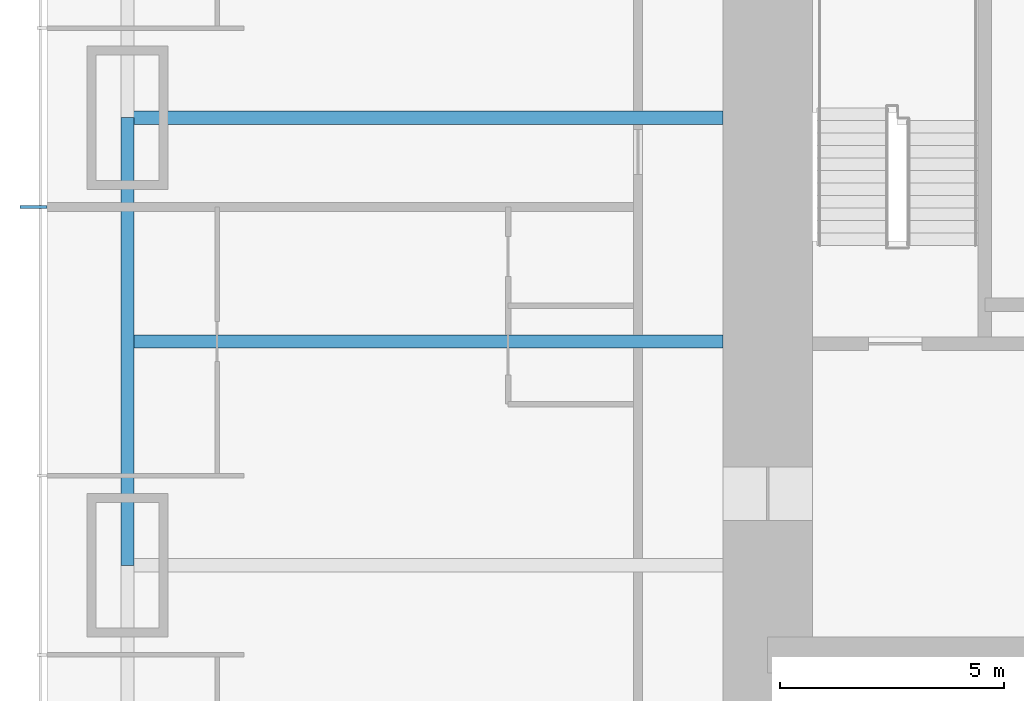
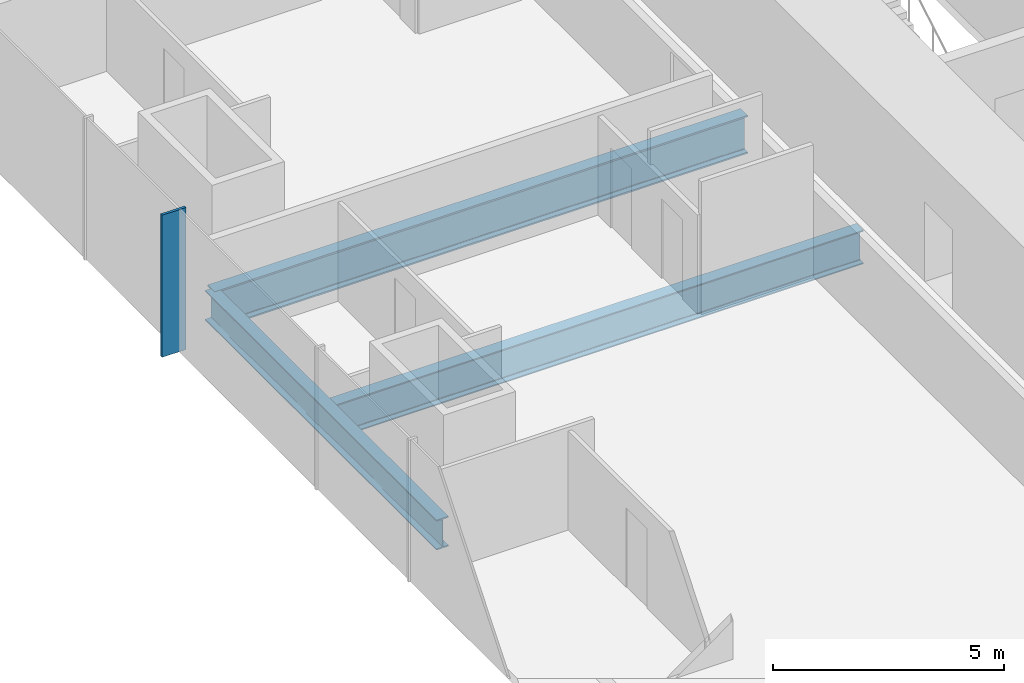
# One storey, part 3 of 17: 3 beams, 1 member, 1 element without a shape of its own.
"""IFC4 building model written with IfcOpenShell, lengths in metres."""

from ifc_helpers import new_model, si_unit, direction, frame, origin, origin_2d, place, context, subcontext, project, spatial, rectangle, i_section, extrude, material, material_profile, profile_set, type_object, element, aggregate, save


model = new_model("IFC4")

# Units and contexts
model_context = context("Model", 3, precision=1e-05, world=origin(), true_north=direction((0.0, 1.0)))
body_context = subcontext(model_context, "Body", "Model", "MODEL_VIEW")
ifc_project = project(units=[si_unit("LENGTHUNIT", "METRE"), si_unit("AREAUNIT", "SQUARE_METRE"), si_unit("VOLUMEUNIT", "CUBIC_METRE"), si_unit("PLANEANGLEUNIT", "RADIAN"), si_unit("MASSUNIT", "GRAM", prefix="KILO")], contexts=[model_context])

# Site, building, storey
site_placement = place(None, origin())
site = spatial("IfcSite", under=ifc_project, at=site_placement, CompositionType="ELEMENT")
building_placement = place(site_placement, origin())
building = spatial("IfcBuilding", under=site, at=building_placement, Name="Khuree Lantern Residences", CompositionType="ELEMENT")
storey_placement = place(building_placement, frame((0.0, 0.0, 47.25)))
storey = spatial("IfcBuildingStorey", under=building, at=storey_placement, Name="L11", CompositionType="ELEMENT", Elevation=47.25)

# Beams
ifc_material_1 = material(Name="Steel S355", Category="steel")
ifc_material_profile_1 = material_profile(ifc_material_1, i_section(OverallWidth=0.300048828125, OverallDepth=0.889892578125, WebThickness=0.01611328125, FlangeThickness=0.030029296875, FilletRadius=0.030029296875, at=origin_2d()), Name="HE 900 A")
ifc_profile_set_1 = profile_set([ifc_material_profile_1], Name="Steel S355")
beam_type_1 = type_object("IfcBeamType", Name="B-12 SECONDARY BEAM HE 900 A", PredefinedType="BEAM", material=ifc_profile_set_1)
beam_1_placement = place(storey_placement, frame((-29.800048828125, -5.0, -0.695068359375), z_axis=(1.0, 0.0, 0.0), x_axis=(0.0, 1.0, 0.0)))
element("IfcBeam", 1, at=beam_1_placement, inside=storey, type_object=beam_type_1, Name="Secondary beam W3", PredefinedType="BEAM", context=body_context, shape_type="SweptSolid", body=[
    extrude(i_section(OverallWidth=0.300048828125, OverallDepth=0.889892578125, WebThickness=0.01611328125, FlangeThickness=0.030029296875, FilletRadius=0.030029296875, at=origin_2d()), origin(), (0.0, 0.0, 1.0), 13.300048828125),
])
ifc_material_profile_2 = material_profile(ifc_material_1, i_section(OverallWidth=0.300048828125, OverallDepth=0.7900390625, WebThickness=0.014892578125, FlangeThickness=0.028076171875, FilletRadius=0.030029296875, at=origin_2d()), Name="HE 800 A")
ifc_profile_set_2 = profile_set([ifc_material_profile_2], Name="Steel S355")
beam_type_2 = type_object("IfcBeamType", Name="E-12 SPANDREL BEAM HE 800 A", PredefinedType="SPANDREL", material=ifc_profile_set_2)
beam_2_placement = place(storey_placement, frame((-29.800048828125, -10.0, -0.64501953125), z_axis=(0.0, 1.0, 0.0), x_axis=(-1.0, 0.0, 0.0)))
element("IfcBeam", 2, at=beam_2_placement, inside=storey, type_object=beam_type_2, Name="Spandrel beam W3", PredefinedType="SPANDREL", context=body_context, shape_type="SweptSolid", body=[
    extrude(i_section(OverallWidth=0.300048828125, OverallDepth=0.7900390625, WebThickness=0.014892578125, FlangeThickness=0.028076171875, FilletRadius=0.030029296875, at=origin_2d()), origin(), (0.0, 0.0, 1.0), 10.0),
])

# Curtain wall, member
ifc_material_2 = material(Name="Bronze anodised aluminium", Category="aluminium")
curtain_wall_type = type_object("IfcCurtainWallType", Name="CW-T1 TOWER FACE CURTAIN WALL", PredefinedType="USERDEFINED", material=ifc_material_2)
curtain_wall_placement = place(storey_placement, origin())
curtain_wall = element("IfcCurtainWall", 3, at=curtain_wall_placement, inside=storey, type_object=curtain_wall_type, Name="L11 WEST FACE CURTAIN WALL", ObjectType="Stick-built curtain wall", PredefinedType="USERDEFINED")
ifc_material_profile_3 = material_profile(ifc_material_2, rectangle(XDim=0.06494140625, YDim=0.60009765625, at=origin_2d()), Name="F1 65X600")
ifc_profile_set_3 = profile_set([ifc_material_profile_3], Name="Bronze anodised aluminium")
member_type = type_object("IfcMemberType", Name="F1 BRONZE FIN MULLION TOWER 65X600", PredefinedType="MULLION", material=ifc_profile_set_3)
member_placement = place(storey_placement, frame((-31.89990234375, -2.0, 0.0), z_axis=(0.0, 0.0, 1.0), x_axis=(0.0, -1.0, 0.0)))
member = element("IfcMember", 4, at=member_placement, type_object=member_type, Name="L11 WEST FACE FIN MULLION 38", PredefinedType="MULLION", context=body_context, shape_type="SweptSolid", body=[
    extrude(rectangle(XDim=0.06494140625, YDim=0.60009765625, at=origin_2d()), origin(), (0.0, 0.0, 1.0), 3.75),
])
aggregate(curtain_wall, [member])

# Beam
ifc_material_profile_4 = material_profile(ifc_material_1, i_section(OverallWidth=0.302001953125, OverallDepth=1.008056640625, WebThickness=0.02099609375, FlangeThickness=0.0400390625, FilletRadius=0.030029296875, at=origin_2d()), Name="HE 1000 M")
ifc_profile_set_4 = profile_set([ifc_material_profile_4], Name="Steel S355")
beam_type_3 = type_object("IfcBeamType", Name="G-12 GIRDER HE 1000 M", PredefinedType="BEAM", material=ifc_profile_set_4)
beam_3_placement = place(storey_placement, frame((-29.800048828125, 0.0, -0.75390625), z_axis=(1.0, 0.0, 0.0), x_axis=(0.0, 1.0, 0.0)))
element("IfcBeam", 5, at=beam_3_placement, inside=storey, type_object=beam_type_3, Name="Girder W3", PredefinedType="BEAM", context=body_context, shape_type="SweptSolid", body=[
    extrude(i_section(OverallWidth=0.302001953125, OverallDepth=1.008056640625, WebThickness=0.02099609375, FlangeThickness=0.0400390625, FilletRadius=0.030029296875, at=origin_2d()), origin(), (0.0, 0.0, 1.0), 13.300048828125),
])

save(model, "model.ifc")
